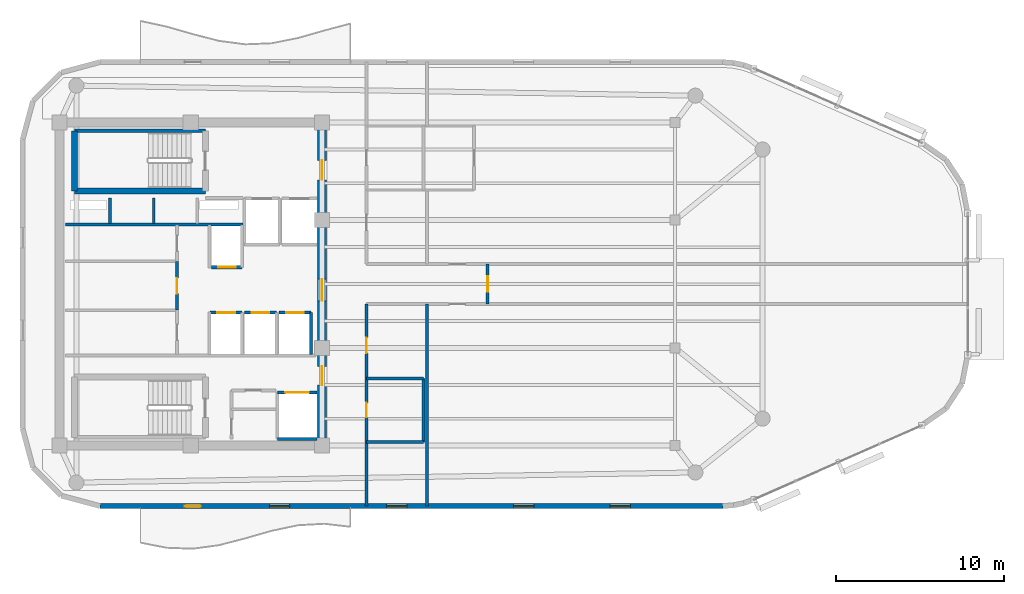
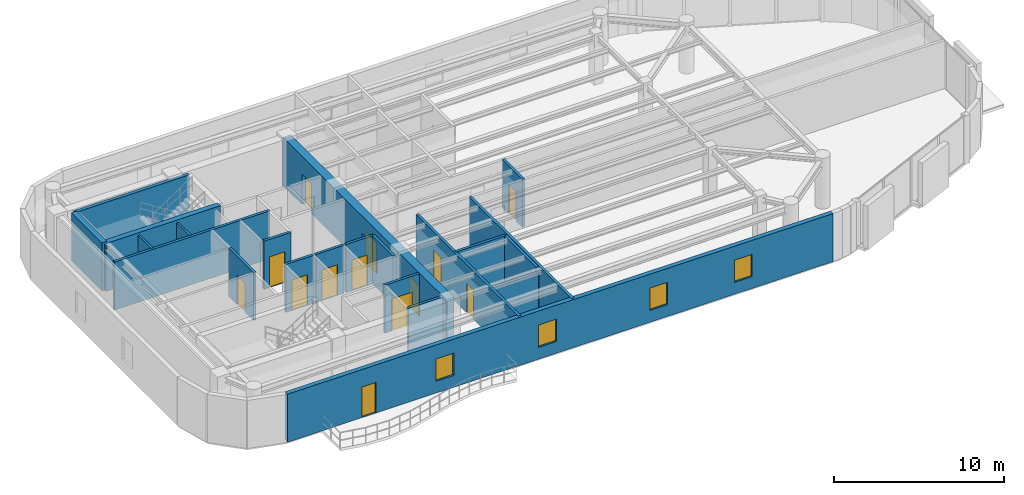
# One storey, part 8 of 12: 22 walls, 13 doors, 4 windows, 17 openings.
"""IFC4 building model written with IfcOpenShell, lengths in metres."""

import ifcopenshell
import ifcopenshell.guid

model = None  # the IFC model being written
_history = None  # IfcOwnerHistory: only IFC2X3 demands one
_inside = {}  # id of a spatial element -> (the spatial element, [elements in it])
_under = {}  # id of a project, library or spatial element -> (it, [spatial elements below it])
_declared = {}  # id of a project -> (the project, [libraries it declares])
_typed = {}  # id of a type object -> (the type object, [elements of that type])
_made_of = {}  # id of a material, layer set ... -> (it, [elements and type objects made of it])


def new_model(schema):
    """Start an empty IFC model of exactly this schema.

    Asked for "IFC4X3", IfcOpenShell would pick the latest addendum, in which some entities
    have other attributes; the version numbers below select the first issue.
    IFC2X3 requires an IfcOwnerHistory on every rooted entity: one is made here for all.
    """
    global model, _history
    if schema == "IFC4X3":
        model = ifcopenshell.file(schema_version=(4, 3, 0, 0))
    else:
        model = ifcopenshell.file(schema=schema)
    _inside.clear()
    _under.clear()
    _declared.clear()
    _typed.clear()
    _made_of.clear()
    _history = None
    if model.schema == "IFC2X3":
        org = make("IfcOrganization", Name="unknown")
        user = make(
            "IfcPersonAndOrganization",
            ThePerson=make("IfcPerson", FamilyName="unknown"),
            TheOrganization=org,
        )
        app = make(
            "IfcApplication",
            ApplicationDeveloper=org,
            Version="unknown",
            ApplicationFullName="unknown",
            ApplicationIdentifier="unknown",
        )
        _history = make(
            "IfcOwnerHistory",
            OwningUser=user,
            OwningApplication=app,
            ChangeAction="ADDED",
            CreationDate=0,
        )
    return model


def make(cls, **values):
    """One entity of the class cls with the attributes given. An attribute that is None is left unset."""
    return model.create_entity(
        cls, **{name: value for name, value in values.items() if value is not None}
    )


def rooted(cls, **values):
    """An entity with a GlobalId (a new one), such as an element, a storey or a relation."""
    return make(cls, GlobalId=ifcopenshell.guid.new(), OwnerHistory=_history, **values)


def si_unit(unit_type, name, prefix=None):
    """IfcSIUnit, for example si_unit("LENGTHUNIT", "METRE", prefix="MILLI")."""
    return make("IfcSIUnit", UnitType=unit_type, Prefix=prefix, Name=name)


def assignment(units):
    """IfcUnitAssignment: the units of a project."""
    return None if units is None else make("IfcUnitAssignment", Units=units)


def point(xyz):
    """IfcCartesianPoint."""
    return None if xyz is None else make("IfcCartesianPoint", Coordinates=xyz)


def direction(xyz):
    """IfcDirection."""
    return None if xyz is None else make("IfcDirection", DirectionRatios=xyz)


def frame(location, z_axis=None, x_axis=None):
    """IfcAxis2Placement3D, a coordinate frame: its origin and axes. An axis left out is left unset."""
    return make(
        "IfcAxis2Placement3D",
        Location=point(location),
        Axis=direction(z_axis),
        RefDirection=direction(x_axis),
    )


def frame_2d(location, x_axis=None):
    """IfcAxis2Placement2D, a coordinate frame in the plane: its origin and x axis."""
    return make(
        "IfcAxis2Placement2D", Location=point(location), RefDirection=direction(x_axis)
    )


def origin():
    """The frame at (0, 0, 0) with its axes left unset."""
    return frame((0.0, 0.0, 0.0))


def place(relative_to, where):
    """IfcLocalPlacement: puts the frame where relative to a parent placement (None: the world)."""
    return make(
        "IfcLocalPlacement", PlacementRelTo=relative_to, RelativePlacement=where
    )


def context(
    kind, dimensions, precision=None, world=None, true_north=None, identifier=None
):
    """IfcGeometricRepresentationContext, for example the 3D "Model" context."""
    return make(
        "IfcGeometricRepresentationContext",
        ContextIdentifier=identifier,
        ContextType=kind,
        CoordinateSpaceDimension=dimensions,
        Precision=precision,
        WorldCoordinateSystem=world,
        TrueNorth=true_north,
    )


def subcontext(parent, identifier, kind, view, scale=None):
    """IfcGeometricRepresentationSubContext, for example "Body" below "Model"."""
    return make(
        "IfcGeometricRepresentationSubContext",
        ContextIdentifier=identifier,
        ContextType=kind,
        ParentContext=parent,
        TargetScale=scale,
        TargetView=view,
    )


def project(units=None, contexts=None):
    """IfcProject with its units and contexts."""
    return rooted(
        "IfcProject",
        Name="project",
        RepresentationContexts=contexts,
        UnitsInContext=assignment(units),
    )


def spatial(cls, under=None, at=None, **own):
    """A site, building, storey or space (cls), placed at a placement, below another one or the project."""
    s = rooted(cls, ObjectPlacement=at, **own)
    if under is not None:
        _under.setdefault(under.id(), (under, []))[1].append(s)
    return s


def profile(cls, at=None, kind="AREA", **sizes):
    """A parametric profile (cls). Its sizes go by their IFC names, for example OverallWidth=200.0."""
    return make(cls, ProfileType=kind, Position=at, **sizes)


def rectangle(**sizes):
    """IfcRectangleProfileDef."""
    return profile("IfcRectangleProfileDef", **sizes)


def extrude(swept, where, along, depth):
    """IfcExtrudedAreaSolid: the profile swept, set in the frame where, extruded along a direction by depth."""
    return make(
        "IfcExtrudedAreaSolid",
        SweptArea=swept,
        Position=where,
        ExtrudedDirection=direction(along),
        Depth=depth,
    )


def shape(context_of_items, identifier, shape_type, items):
    """IfcShapeRepresentation: the items that make up one representation, for example the "Body"."""
    return make(
        "IfcShapeRepresentation",
        ContextOfItems=context_of_items,
        RepresentationIdentifier=identifier,
        RepresentationType=shape_type,
        Items=items,
    )


def material(Name=None, Category=None):
    """IfcMaterial."""
    return make("IfcMaterial", Name=Name, Category=Category)


def layer(
    of_material, thickness, ventilated=None, Name=None, Category=None, Priority=None
):
    """IfcMaterialLayer: one layer of a wall or slab, of a material (None: an air gap)."""
    return make(
        "IfcMaterialLayer",
        Material=of_material,
        LayerThickness=thickness,
        IsVentilated=ventilated,
        Name=Name,
        Category=Category,
        Priority=Priority,
    )


def layer_set(layers, Name=None):
    """IfcMaterialLayerSet."""
    return make("IfcMaterialLayerSet", MaterialLayers=layers, LayerSetName=Name)


def made_of(thing, what):
    """Note that an element or type object is made of a material, layer set ...; save() writes the relation."""
    if what is not None:
        _made_of.setdefault(what.id(), (what, []))[1].append(thing)
    return thing


def type_object(cls, material=None, **own):
    """A type object (cls), such as IfcWallType, which elements share."""
    return made_of(rooted(cls, **own), material)


def element(
    cls,
    number,
    at=None,
    inside=None,
    cuts=None,
    type_object=None,
    material=None,
    context=None,
    identifier="Body",
    shape_type=None,
    held_by="IfcProductDefinitionShape",
    body=None,
    shapes=None,
    **own,
):
    """One element of the class cls, such as IfcWall. Its Tag is "e" and its number.

    at: its placement. inside: the storey or other place that contains it. cuts: it is an
    opening in that element (IfcRelVoidsElement). A single representation is given by context,
    identifier, shape_type and body (its items); several are given by shapes. held_by: the class
    of the entity that holds the representations. save() writes the other relations.
    """
    e = rooted(cls, Tag="e%d" % number, ObjectPlacement=at, **own)
    if body is not None:
        shapes = [shape(context, identifier, shape_type, body)]
    if shapes is not None:
        e.Representation = make(held_by, Representations=shapes)
    if inside is not None:
        _inside.setdefault(inside.id(), (inside, []))[1].append(e)
    if cuts is not None:
        rooted(
            "IfcRelVoidsElement", RelatingBuildingElement=cuts, RelatedOpeningElement=e
        )
    if type_object is not None:
        _typed.setdefault(type_object.id(), (type_object, []))[1].append(e)
    return made_of(e, material)


def fill(opening, filler):
    """IfcRelFillsElement: the door or window that sits in an opening."""
    return rooted(
        "IfcRelFillsElement",
        RelatingOpeningElement=opening,
        RelatedBuildingElement=filler,
    )


def aggregate(whole, parts):
    """IfcRelAggregates: a whole, such as a stair, and the parts it consists of."""
    return rooted("IfcRelAggregates", RelatingObject=whole, RelatedObjects=parts)


def save(model, path):
    """Write the relations noted so far, then the file.

    IfcRelAggregates (storeys below a building ...), IfcRelContainedInSpatialStructure (elements
    in a storey), IfcRelDefinesByType, IfcRelAssociatesMaterial and IfcRelDeclares: one each for
    every whole, place, type object, material and project.
    """
    for whole, parts in _under.values():
        aggregate(whole, parts)
    for where, things in _inside.values():
        rooted(
            "IfcRelContainedInSpatialStructure",
            RelatedElements=things,
            RelatingStructure=where,
        )
    for kind, things in _typed.values():
        rooted("IfcRelDefinesByType", RelatedObjects=things, RelatingType=kind)
    for what, things in _made_of.values():
        rooted("IfcRelAssociatesMaterial", RelatedObjects=things, RelatingMaterial=what)
    for by, libraries in _declared.values():
        rooted("IfcRelDeclares", RelatingContext=by, RelatedDefinitions=libraries)
    model.write(path)


model = new_model("IFC4")

# Units and contexts
model_context = context("Model", 3, precision=1e-05, world=origin(), true_north=direction((0.0, 1.0)))
body_context = subcontext(model_context, "Body", "Model", "MODEL_VIEW")
ifc_project = project(units=[si_unit("LENGTHUNIT", "METRE"), si_unit("AREAUNIT", "SQUARE_METRE"), si_unit("VOLUMEUNIT", "CUBIC_METRE"), si_unit("PLANEANGLEUNIT", "RADIAN"), si_unit("MASSUNIT", "GRAM", prefix="KILO")], contexts=[model_context])

# Site, building, storey
site_placement = place(None, origin())
site = spatial("IfcSite", under=ifc_project, at=site_placement, CompositionType="ELEMENT")
building_placement = place(site_placement, origin())
building = spatial("IfcBuilding", under=site, at=building_placement, Name="An Khanh Terracotta Commons", CompositionType="ELEMENT")
storey_placement = place(building_placement, frame((0.0, 0.0, 269.75)))
storey = spatial("IfcBuildingStorey", under=building, at=storey_placement, Name="L70", CompositionType="ELEMENT", Elevation=269.75)

# Wall, openings, doors
ifc_material_1 = material(Name="Concrete C50/60", Category="concrete")
ifc_layer_1 = layer(ifc_material_1, 0.550048828125, Name="Concrete C50/60")
ifc_layer_set_1 = layer_set([ifc_layer_1], Name="Concrete C50/60")
wall_type_1 = type_object("IfcWallType", Name="WALL-CORE-550", PredefinedType="SHEAR", material=ifc_layer_set_1)
wall_1_placement = place(storey_placement, frame((37.199951171875, 14.39990234375, 0.0), z_axis=(0.0, 0.0, 1.0), x_axis=(0.0, 1.0, 0.0)))
wall_1 = element("IfcWall", 1, at=wall_1_placement, inside=storey, type_object=wall_type_1, Name="L70 Core Wall CWALL-L70-E", PredefinedType="SHEAR", context=body_context, shape_type="SweptSolid", body=[
    extrude(rectangle(XDim=19.2001953125, YDim=0.550048828125, at=frame_2d((9.60009765625, 0.0))), origin(), (0.0, 0.0, 1.0), 3.449951171875),
])
opening_1_placement = place(wall_1_placement, frame((15.800048828125, 0.0, 0.0)))
opening_1 = element("IfcOpeningElement", 2, at=opening_1_placement, cuts=wall_1, Name="Opening D-FFL", PredefinedType="OPENING", context=body_context, shape_type="SweptSolid", body=[
    extrude(rectangle(XDim=1.14990234375, YDim=2.14990234375, at=frame_2d((0.574951171875, 1.074951171875))), frame((0.0, 0.284912109375, 0.0), z_axis=(0.0, -1.0, 0.0), x_axis=(1.0, 0.0, 0.0)), (0.0, 0.0, 1.0), 0.570068359375),
])
opening_2_placement = place(wall_1_placement, frame((3.60009765625, 0.0, 0.0)))
opening_2 = element("IfcOpeningElement", 3, at=opening_2_placement, cuts=wall_1, Name="Opening D-ST", PredefinedType="OPENING", context=body_context, shape_type="SweptSolid", body=[
    extrude(rectangle(XDim=1.10009765625, YDim=2.14990234375, at=frame_2d((0.550048828125, 1.074951171875))), frame((0.0, 0.284912109375, 0.0), z_axis=(0.0, -1.0, 0.0), x_axis=(1.0, 0.0, 0.0)), (0.0, 0.0, 1.0), 0.570068359375),
])
opening_3_placement = place(wall_1_placement, frame((8.60009765625, 0.0, 0.0)))
opening_3 = element("IfcOpeningElement", 4, at=opening_3_placement, cuts=wall_1, Name="Opening D-COR", PredefinedType="OPENING", context=body_context, shape_type="SweptSolid", body=[
    extrude(rectangle(XDim=1.300048828125, YDim=2.199951171875, at=frame_2d((0.64990234375, 1.10009765625))), frame((0.0, 0.284912109375, 0.0), z_axis=(0.0, -1.0, 0.0), x_axis=(1.0, 0.0, 0.0)), (0.0, 0.0, 1.0), 0.570068359375),
])
ifc_material_2 = material(Name="Fire-Rated Glazed Steel Double Door", Category="steel")
door_type_1 = type_object("IfcDoorType", Name="DOOR-CORR-1300", OperationType="NOTDEFINED", PredefinedType="DOOR", material=ifc_material_2)
door_1_placement = place(opening_3_placement, origin())
door_1 = element("IfcDoor", 5, at=door_1_placement, inside=storey, type_object=door_type_1, Name="L70 Passenger Lift Lobby Double Door", OperationType="DOUBLE_DOOR_SINGLE_SWING", OverallHeight=2.199951171875, OverallWidth=1.300048828125, PredefinedType="DOOR", context=body_context, shape_type="SweptSolid", body=[
    extrude(rectangle(XDim=1.300048828125, YDim=2.199951171875, at=frame_2d((0.64990234375, 1.10009765625))), frame((0.0, 0.02490234375, 0.0), z_axis=(0.0, -1.0, 0.0), x_axis=(1.0, 0.0, 0.0)), (0.0, 0.0, 1.0), 0.050048828125),
])
fill(opening_3, door_1)
ifc_material_3 = material(Name="Fire-Rated Steel Leaf and Vision Panel", Category="steel")
door_type_2 = type_object("IfcDoorType", Name="DOOR-FFL-1150", OperationType="NOTDEFINED", PredefinedType="DOOR", material=ifc_material_3)
door_2_placement = place(opening_1_placement, origin())
door_2 = element("IfcDoor", 6, at=door_2_placement, inside=storey, type_object=door_type_2, Name="L70 Firefighting Lift Lobby Fire Door", OperationType="SINGLE_SWING_LEFT", OverallHeight=2.14990234375, OverallWidth=1.14990234375, PredefinedType="DOOR", context=body_context, shape_type="SweptSolid", body=[
    extrude(rectangle(XDim=1.14990234375, YDim=2.14990234375, at=frame_2d((0.574951171875, 1.074951171875))), frame((0.0, 0.02490234375, 0.0), z_axis=(0.0, -1.0, 0.0), x_axis=(1.0, 0.0, 0.0)), (0.0, 0.0, 1.0), 0.050048828125),
])
fill(opening_1, door_2)
ifc_material_4 = material(Name="Fire-Rated Steel Leaf and Frame", Category="steel")
door_type_3 = type_object("IfcDoorType", Name="DOOR-STAIR-1100", OperationType="NOTDEFINED", PredefinedType="DOOR", material=ifc_material_4)
door_3_placement = place(opening_2_placement, origin())
door_3 = element("IfcDoor", 7, at=door_3_placement, inside=storey, type_object=door_type_3, Name="L70 South Stair Lobby Fire Door", OperationType="SINGLE_SWING_RIGHT", OverallHeight=2.14990234375, OverallWidth=1.10009765625, PredefinedType="DOOR", context=body_context, shape_type="SweptSolid", body=[
    extrude(rectangle(XDim=1.10009765625, YDim=2.14990234375, at=frame_2d((0.550048828125, 1.074951171875))), frame((0.0, 0.02490234375, 0.0), z_axis=(0.0, -1.0, 0.0), x_axis=(1.0, 0.0, 0.0)), (0.0, 0.0, 1.0), 0.050048828125),
])
fill(opening_2, door_3)

# Wall
ifc_material_5 = material(Name="Fire-Rated Gypsum Board on Steel Stud", Category="steel")
ifc_layer_2 = layer(ifc_material_5, 0.179931640625, Name="Fire-Rated Gypsum Board on Steel Stud")
ifc_layer_set_2 = layer_set([ifc_layer_2], Name="Fire-Rated Gypsum Board on Steel Stud")
wall_type_2 = type_object("IfcWallType", Name="WALL-CORR-180", PredefinedType="PARTITIONING", material=ifc_layer_set_2)
wall_2_placement = place(storey_placement, frame((21.949951171875, 27.5400390625, 0.0), z_axis=(0.0, 0.0, 1.0), x_axis=(1.0, 0.0, 0.0)))
element("IfcWall", 8, at=wall_2_placement, inside=storey, type_object=wall_type_2, Name="L70 Core Wall RSRW-L70-S", PredefinedType="PARTITIONING", context=body_context, shape_type="SweptSolid", body=[
    extrude(rectangle(XDim=10.56005859375, YDim=0.179931640625, at=frame_2d((5.280029296875, 0.0))), origin(), (0.0, 0.0, 1.0), 3.449951171875),
])

# Wall, opening, door
wall_3_placement = place(storey_placement, frame((34.550048828125, 17.550048828125, 0.0), z_axis=(0.0, 0.0, 1.0), x_axis=(1.0, 0.0, 0.0)))
wall_3 = element("IfcWall", 9, at=wall_3_placement, inside=storey, type_object=wall_type_2, Name="L70 Core Wall LSH-L70-SVL-01-N", PredefinedType="PARTITIONING", context=body_context, shape_type="SweptSolid", body=[
    extrude(rectangle(XDim=2.349853515625, YDim=0.179931640625, at=frame_2d((1.1748046875, 0.0))), origin(), (0.0, 0.0, 1.0), 3.449951171875),
])
opening_4_placement = place(wall_3_placement, frame((0.47509765625, 0.0, 0.0)))
opening_4 = element("IfcOpeningElement", 10, at=opening_4_placement, cuts=wall_3, Name="Opening LD-SVL-01-L70", PredefinedType="OPENING", context=body_context, shape_type="SweptSolid", body=[
    extrude(rectangle(XDim=1.39990234375, YDim=2.300048828125, at=frame_2d((0.699951171875, 1.14990234375))), frame((0.0, 0.099853515625, 0.0), z_axis=(0.0, -1.0, 0.0), x_axis=(1.0, 0.0, 0.0)), (0.0, 0.0, 1.0), 0.199951171875),
])
ifc_material_6 = material(Name="Heavy-Duty Stainless Steel Goods Landing Door", Category="steel")
door_type_4 = type_object("IfcDoorType", Name="DOOR-LD-SVL-1400", OperationType="NOTDEFINED", PredefinedType="DOOR", material=ifc_material_6)
door_4_placement = place(opening_4_placement, origin())
door_4 = element("IfcDoor", 11, at=door_4_placement, inside=storey, type_object=door_type_4, Name="L70 Lift SVL-01 Sliding Landing Door", OperationType="DOUBLE_DOOR_SLIDING", OverallHeight=2.300048828125, OverallWidth=1.39990234375, PredefinedType="DOOR", context=body_context, shape_type="SweptSolid", body=[
    extrude(rectangle(XDim=1.39990234375, YDim=2.300048828125, at=frame_2d((0.699951171875, 1.14990234375))), frame((0.0, 0.02490234375, 0.0), z_axis=(0.0, -1.0, 0.0), x_axis=(1.0, 0.0, 0.0)), (0.0, 0.0, 1.0), 0.050048828125),
])
fill(opening_4, door_4)

# Wall
wall_4_placement = place(storey_placement, frame((36.89990234375, 14.800048828125, 0.0), z_axis=(0.0, 0.0, 1.0), x_axis=(-1.0, 0.0, 0.0)))
element("IfcWall", 12, at=wall_4_placement, inside=storey, type_object=wall_type_2, Name="L70 Core Wall LSH-L70-SVL-01-S", PredefinedType="PARTITIONING", context=body_context, shape_type="SweptSolid", body=[
    extrude(rectangle(XDim=2.349853515625, YDim=0.179931640625, at=frame_2d((1.1748046875, 0.0))), origin(), (0.0, 0.0, 1.0), 3.449951171875),
])

# Wall, opening, door
wall_5_placement = place(storey_placement, frame((32.4599609375, 25.0, 0.0), z_axis=(0.0, 0.0, 1.0), x_axis=(-1.0, 0.0, 0.0)))
wall_5 = element("IfcWall", 13, at=wall_5_placement, inside=storey, type_object=wall_type_2, Name="L70 Core Wall LSH-L70-PL-H1-S", PredefinedType="PARTITIONING", context=body_context, shape_type="SweptSolid", body=[
    extrude(rectangle(XDim=1.820068359375, YDim=0.179931640625, at=frame_2d((0.91015625, 0.0))), origin(), (0.0, 0.0, 1.0), 3.449951171875),
])
opening_5_placement = place(wall_5_placement, frame((0.385009765625, 0.0, 0.0)))
opening_5 = element("IfcOpeningElement", 14, at=opening_5_placement, cuts=wall_5, Name="Opening LD-PL-H1-L70", PredefinedType="OPENING", context=body_context, shape_type="SweptSolid", body=[
    extrude(rectangle(XDim=1.050048828125, YDim=2.199951171875, at=frame_2d((0.52490234375, 1.10009765625))), frame((0.0, 0.099853515625, 0.0), z_axis=(0.0, -1.0, 0.0), x_axis=(1.0, 0.0, 0.0)), (0.0, 0.0, 1.0), 0.199951171875),
])
ifc_material_7 = material(Name="Brushed Stainless Steel High-Rise Landing Door", Category="steel")
door_type_5 = type_object("IfcDoorType", Name="DOOR-LD-PAXH-1050", OperationType="NOTDEFINED", PredefinedType="DOOR", material=ifc_material_7)
door_5_placement = place(opening_5_placement, origin())
door_5 = element("IfcDoor", 15, at=door_5_placement, inside=storey, type_object=door_type_5, Name="L70 Lift PL-H1 Sliding Landing Door", OperationType="DOUBLE_DOOR_SLIDING", OverallHeight=2.199951171875, OverallWidth=1.050048828125, PredefinedType="DOOR", context=body_context, shape_type="SweptSolid", body=[
    extrude(rectangle(XDim=1.050048828125, YDim=2.199951171875, at=frame_2d((0.52490234375, 1.10009765625))), frame((0.0, 0.02490234375, 0.0), z_axis=(0.0, -1.0, 0.0), x_axis=(1.0, 0.0, 0.0)), (0.0, 0.0, 1.0), 0.050048828125),
])
fill(opening_5, door_5)

wall_6_placement = place(storey_placement, frame((30.56005859375, 22.300048828125, 0.0), z_axis=(0.0, 0.0, 1.0), x_axis=(1.0, 0.0, 0.0)))
wall_6 = element("IfcWall", 16, at=wall_6_placement, inside=storey, type_object=wall_type_2, Name="L70 Core Wall LSH-L70-PL-H2-N", PredefinedType="PARTITIONING", context=body_context, shape_type="SweptSolid", body=[
    extrude(rectangle(XDim=1.89990234375, YDim=0.179931640625, at=frame_2d((0.949951171875, 0.0))), origin(), (0.0, 0.0, 1.0), 3.449951171875),
])
opening_6_placement = place(wall_6_placement, frame((0.425048828125, 0.0, 0.0)))
opening_6 = element("IfcOpeningElement", 17, at=opening_6_placement, cuts=wall_6, Name="Opening LD-PL-H2-L70", PredefinedType="OPENING", context=body_context, shape_type="SweptSolid", body=[
    extrude(rectangle(XDim=1.050048828125, YDim=2.199951171875, at=frame_2d((0.52490234375, 1.10009765625))), frame((0.0, 0.099853515625, 0.0), z_axis=(0.0, -1.0, 0.0), x_axis=(1.0, 0.0, 0.0)), (0.0, 0.0, 1.0), 0.199951171875),
])
door_6_placement = place(opening_6_placement, origin())
door_6 = element("IfcDoor", 18, at=door_6_placement, inside=storey, type_object=door_type_5, Name="L70 Lift PL-H2 Sliding Landing Door", OperationType="DOUBLE_DOOR_SLIDING", OverallHeight=2.199951171875, OverallWidth=1.050048828125, PredefinedType="DOOR", context=body_context, shape_type="SweptSolid", body=[
    extrude(rectangle(XDim=1.050048828125, YDim=2.199951171875, at=frame_2d((0.52490234375, 1.10009765625))), frame((0.0, 0.02490234375, 0.0), z_axis=(0.0, -1.0, 0.0), x_axis=(1.0, 0.0, 0.0)), (0.0, 0.0, 1.0), 0.050048828125),
])
fill(opening_6, door_6)

wall_7_placement = place(storey_placement, frame((32.60009765625, 22.300048828125, 0.0), z_axis=(0.0, 0.0, 1.0), x_axis=(1.0, 0.0, 0.0)))
wall_7 = element("IfcWall", 19, at=wall_7_placement, inside=storey, type_object=wall_type_2, Name="L70 Core Wall LSH-L70-PL-H3-N", PredefinedType="PARTITIONING", context=body_context, shape_type="SweptSolid", body=[
    extrude(rectangle(XDim=1.89990234375, YDim=0.179931640625, at=frame_2d((0.949951171875, 0.0))), origin(), (0.0, 0.0, 1.0), 3.449951171875),
])
opening_7_placement = place(wall_7_placement, frame((0.425048828125, 0.0, 0.0)))
opening_7 = element("IfcOpeningElement", 20, at=opening_7_placement, cuts=wall_7, Name="Opening LD-PL-H3-L70", PredefinedType="OPENING", context=body_context, shape_type="SweptSolid", body=[
    extrude(rectangle(XDim=1.050048828125, YDim=2.199951171875, at=frame_2d((0.52490234375, 1.10009765625))), frame((0.0, 0.099853515625, 0.0), z_axis=(0.0, -1.0, 0.0), x_axis=(1.0, 0.0, 0.0)), (0.0, 0.0, 1.0), 0.199951171875),
])
door_7_placement = place(opening_7_placement, origin())
door_7 = element("IfcDoor", 21, at=door_7_placement, inside=storey, type_object=door_type_5, Name="L70 Lift PL-H3 Sliding Landing Door", OperationType="DOUBLE_DOOR_SLIDING", OverallHeight=2.199951171875, OverallWidth=1.050048828125, PredefinedType="DOOR", context=body_context, shape_type="SweptSolid", body=[
    extrude(rectangle(XDim=1.050048828125, YDim=2.199951171875, at=frame_2d((0.52490234375, 1.10009765625))), frame((0.0, 0.02490234375, 0.0), z_axis=(0.0, -1.0, 0.0), x_axis=(1.0, 0.0, 0.0)), (0.0, 0.0, 1.0), 0.050048828125),
])
fill(opening_7, door_7)

wall_8_placement = place(storey_placement, frame((34.639892578125, 22.300048828125, 0.0), z_axis=(0.0, 0.0, 1.0), x_axis=(1.0, 0.0, 0.0)))
wall_8 = element("IfcWall", 22, at=wall_8_placement, inside=storey, type_object=wall_type_2, Name="L70 Core Wall LSH-L70-PL-H4-N", PredefinedType="PARTITIONING", context=body_context, shape_type="SweptSolid", body=[
    extrude(rectangle(XDim=1.900146484375, YDim=0.179931640625, at=frame_2d((0.9501953125, 0.0))), origin(), (0.0, 0.0, 1.0), 3.449951171875),
])
opening_8_placement = place(wall_8_placement, frame((0.425048828125, 0.0, 0.0)))
opening_8 = element("IfcOpeningElement", 23, at=opening_8_placement, cuts=wall_8, Name="Opening LD-PL-H4-L70", PredefinedType="OPENING", context=body_context, shape_type="SweptSolid", body=[
    extrude(rectangle(XDim=1.050048828125, YDim=2.199951171875, at=frame_2d((0.52490234375, 1.10009765625))), frame((0.0, 0.099853515625, 0.0), z_axis=(0.0, -1.0, 0.0), x_axis=(1.0, 0.0, 0.0)), (0.0, 0.0, 1.0), 0.199951171875),
])
door_8_placement = place(opening_8_placement, origin())
door_8 = element("IfcDoor", 24, at=door_8_placement, inside=storey, type_object=door_type_5, Name="L70 Lift PL-H4 Sliding Landing Door", OperationType="DOUBLE_DOOR_SLIDING", OverallHeight=2.199951171875, OverallWidth=1.050048828125, PredefinedType="DOOR", context=body_context, shape_type="SweptSolid", body=[
    extrude(rectangle(XDim=1.050048828125, YDim=2.199951171875, at=frame_2d((0.52490234375, 1.10009765625))), frame((0.0, 0.02490234375, 0.0), z_axis=(0.0, -1.0, 0.0), x_axis=(1.0, 0.0, 0.0)), (0.0, 0.0, 1.0), 0.050048828125),
])
fill(opening_8, door_8)

# Wall
wall_9_placement = place(storey_placement, frame((36.5400390625, 19.800048828125, 0.0), z_axis=(0.0, 0.0, 1.0), x_axis=(0.0, 1.0, 0.0)))
element("IfcWall", 25, at=wall_9_placement, inside=storey, type_object=wall_type_2, Name="L70 Core Wall LSH-L70-PL-H4-E", PredefinedType="PARTITIONING", context=body_context, shape_type="SweptSolid", body=[
    extrude(rectangle(XDim=2.5, YDim=0.179931640625, at=frame_2d((1.25, 0.0))), origin(), (0.0, 0.0, 1.0), 3.449951171875),
])

# Wall, opening, door
wall_10_placement = place(storey_placement, frame((28.580078125, 22.449951171875, 0.0), z_axis=(0.0, 0.0, 1.0), x_axis=(0.0, 1.0, 0.0)))
wall_10 = element("IfcWall", 26, at=wall_10_placement, inside=storey, type_object=wall_type_2, Name="L70 Core Wall RECW-L70-E2", PredefinedType="PARTITIONING", context=body_context, shape_type="SweptSolid", body=[
    extrude(rectangle(XDim=2.900146484375, YDim=0.179931640625, at=frame_2d((1.4501953125, 0.0))), origin(), (0.0, 0.0, 1.0), 3.449951171875),
])
opening_9_placement = place(wall_10_placement, frame((0.989990234375, 0.0, 0.0)))
opening_9 = element("IfcOpeningElement", 27, at=opening_9_placement, cuts=wall_10, Name="Opening D-RM", PredefinedType="OPENING", context=body_context, shape_type="SweptSolid", body=[
    extrude(rectangle(XDim=0.919921875, YDim=2.10009765625, at=frame_2d((0.4599609375, 1.050048828125))), frame((0.0, 0.099853515625, 0.0), z_axis=(0.0, -1.0, 0.0), x_axis=(1.0, 0.0, 0.0)), (0.0, 0.0, 1.0), 0.199951171875),
])
ifc_material_8 = material(Name="Engineered Hardwood Timber Leaf", Category="wood")
door_type_6 = type_object("IfcDoorType", Name="DOOR-INT-920", OperationType="NOTDEFINED", PredefinedType="DOOR", material=ifc_material_8)
door_9_placement = place(opening_9_placement, origin())
door_9 = element("IfcDoor", 28, at=door_9_placement, inside=storey, type_object=door_type_6, Name="L70 Floor Pantry and Tea Room Door", OperationType="SINGLE_SWING_RIGHT", OverallHeight=2.10009765625, OverallWidth=0.919921875, PredefinedType="DOOR", context=body_context, shape_type="SweptSolid", body=[
    extrude(rectangle(XDim=0.919921875, YDim=2.10009765625, at=frame_2d((0.4599609375, 1.050048828125))), frame((0.0, 0.02490234375, 0.0), z_axis=(0.0, -1.0, 0.0), x_axis=(1.0, 0.0, 0.0)), (0.0, 0.0, 1.0), 0.050048828125),
])
fill(opening_9, door_9)

# Walls
wall_11_placement = place(storey_placement, frame((39.85009765625, 14.60009765625, 0.0), z_axis=(0.0, 0.0, 1.0), x_axis=(1.0, 0.0, 0.0)))
element("IfcWall", 29, at=wall_11_placement, inside=storey, type_object=wall_type_2, Name="L70 Interior Partition IW-L70-E001", PredefinedType="PARTITIONING", context=body_context, shape_type="SweptSolid", body=[
    extrude(rectangle(XDim=3.39990234375, YDim=0.179931640625, at=frame_2d((1.699951171875, 0.0))), origin(), (0.0, 0.0, 1.0), 3.092041015625),
])
wall_12_placement = place(storey_placement, frame((39.85009765625, 18.39990234375, 0.0), z_axis=(0.0, 0.0, 1.0), x_axis=(1.0, 0.0, 0.0)))
element("IfcWall", 30, at=wall_12_placement, inside=storey, type_object=wall_type_2, Name="L70 Interior Partition IW-L70-E002", PredefinedType="PARTITIONING", context=body_context, shape_type="SweptSolid", body=[
    extrude(rectangle(XDim=3.39990234375, YDim=0.179931640625, at=frame_2d((1.699951171875, 0.0))), origin(), (0.0, 0.0, 1.0), 3.449951171875),
])

# Wall, openings, doors
wall_13_placement = place(storey_placement, frame((39.85009765625, 10.800048828125, 0.0), z_axis=(0.0, 0.0, 1.0), x_axis=(0.0, 1.0, 0.0)))
wall_13 = element("IfcWall", 31, at=wall_13_placement, inside=storey, type_object=wall_type_2, Name="L70 Interior Partition IW-L70-E007", PredefinedType="PARTITIONING", context=body_context, shape_type="SweptSolid", body=[
    extrude(rectangle(XDim=12.02001953125, YDim=0.179931640625, at=frame_2d((6.010009765625, 0.0))), origin(), (0.0, 0.0, 1.0), 3.449951171875),
])
opening_10_placement = place(wall_13_placement, frame((5.27001953125, 0.0, 0.0)))
opening_10 = element("IfcOpeningElement", 32, at=opening_10_placement, cuts=wall_13, Name="Opening D-ENS", PredefinedType="OPENING", context=body_context, shape_type="SweptSolid", body=[
    extrude(rectangle(XDim=0.860107421875, YDim=2.10009765625, at=frame_2d((0.43017578125, 1.050048828125))), frame((0.0, 0.099853515625, 0.0), z_axis=(0.0, -1.0, 0.0), x_axis=(1.0, 0.0, 0.0)), (0.0, 0.0, 1.0), 0.199951171875),
])
opening_11_placement = place(wall_13_placement, frame((9.090087890625, 0.0, 0.0)))
opening_11 = element("IfcOpeningElement", 33, at=opening_11_placement, cuts=wall_13, Name="Opening D-RM", PredefinedType="OPENING", context=body_context, shape_type="SweptSolid", body=[
    extrude(rectangle(XDim=0.919921875, YDim=2.10009765625, at=frame_2d((0.4599609375, 1.050048828125))), frame((0.0, 0.099853515625, 0.0), z_axis=(0.0, -1.0, 0.0), x_axis=(1.0, 0.0, 0.0)), (0.0, 0.0, 1.0), 0.199951171875),
])
ifc_material_9 = material(Name="Moisture-Resistant Hardwood Timber Leaf", Category="wood")
door_type_7 = type_object("IfcDoorType", Name="DOOR-BATH-860", OperationType="NOTDEFINED", PredefinedType="DOOR", material=ifc_material_9)
door_10_placement = place(opening_10_placement, origin())
door_10 = element("IfcDoor", 34, at=door_10_placement, inside=storey, type_object=door_type_7, Name="L70 SHW Resident Shared Shower and Washroom Door", OperationType="SINGLE_SWING_LEFT", OverallHeight=2.10009765625, OverallWidth=0.860107421875, PredefinedType="DOOR", context=body_context, shape_type="SweptSolid", body=[
    extrude(rectangle(XDim=0.860107421875, YDim=2.10009765625, at=frame_2d((0.43017578125, 1.050048828125))), frame((0.0, 0.02490234375, 0.0), z_axis=(0.0, -1.0, 0.0), x_axis=(1.0, 0.0, 0.0)), (0.0, 0.0, 1.0), 0.050048828125),
])
fill(opening_10, door_10)
door_11_placement = place(opening_11_placement, origin())
door_11 = element("IfcDoor", 35, at=door_11_placement, inside=storey, type_object=door_type_6, Name="L70 T5SW Co-Living Private Bedroom Door", OperationType="SINGLE_SWING_LEFT", OverallHeight=2.10009765625, OverallWidth=0.919921875, PredefinedType="DOOR", context=body_context, shape_type="SweptSolid", body=[
    extrude(rectangle(XDim=0.919921875, YDim=2.10009765625, at=frame_2d((0.4599609375, 1.050048828125))), frame((0.0, 0.02490234375, 0.0), z_axis=(0.0, -1.0, 0.0), x_axis=(1.0, 0.0, 0.0)), (0.0, 0.0, 1.0), 0.050048828125),
])
fill(opening_11, door_11)

# Walls
wall_14_placement = place(storey_placement, frame((43.25, 14.60009765625, 0.0), z_axis=(0.0, 0.0, 1.0), x_axis=(0.0, 1.0, 0.0)))
element("IfcWall", 36, at=wall_14_placement, inside=storey, type_object=wall_type_2, Name="L70 Interior Partition IW-L70-E009", PredefinedType="PARTITIONING", context=body_context, shape_type="SweptSolid", body=[
    extrude(rectangle(XDim=3.7998046875, YDim=0.179931640625, at=frame_2d((1.89990234375, 0.0))), origin(), (0.0, 0.0, 1.0), 3.449951171875),
])
wall_15_placement = place(storey_placement, frame((43.449951171875, 10.800048828125, 0.0), z_axis=(0.0, 0.0, 1.0), x_axis=(0.0, 1.0, 0.0)))
element("IfcWall", 37, at=wall_15_placement, inside=storey, type_object=wall_type_2, Name="L70 Interior Partition IW-L70-E011", PredefinedType="PARTITIONING", context=body_context, shape_type="SweptSolid", body=[
    extrude(rectangle(XDim=12.02001953125, YDim=0.179931640625, at=frame_2d((6.010009765625, 0.0))), origin(), (0.0, 0.0, 1.0), 3.449951171875),
])

# Wall, opening, door
wall_16_placement = place(storey_placement, frame((47.050048828125, 22.820068359375, 0.0), z_axis=(0.0, 0.0, 1.0), x_axis=(0.0, 1.0, 0.0)))
wall_16 = element("IfcWall", 38, at=wall_16_placement, inside=storey, type_object=wall_type_2, Name="L70 Interior Partition IW-L70-E015", PredefinedType="PARTITIONING", context=body_context, shape_type="SweptSolid", body=[
    extrude(rectangle(XDim=2.35986328125, YDim=0.179931640625, at=frame_2d((1.179931640625, 0.0))), origin(), (0.0, 0.0, 1.0), 3.449951171875),
])
opening_12_placement = place(wall_16_placement, frame((0.719970703125, 0.0, 0.0)))
opening_12 = element("IfcOpeningElement", 39, at=opening_12_placement, cuts=wall_16, Name="Opening D-RM", PredefinedType="OPENING", context=body_context, shape_type="SweptSolid", body=[
    extrude(rectangle(XDim=0.919921875, YDim=2.10009765625, at=frame_2d((0.4599609375, 1.050048828125))), frame((0.0, 0.099853515625, 0.0), z_axis=(0.0, -1.0, 0.0), x_axis=(1.0, 0.0, 0.0)), (0.0, 0.0, 1.0), 0.199951171875),
])
door_12_placement = place(opening_12_placement, origin())
door_12 = element("IfcDoor", 40, at=door_12_placement, inside=storey, type_object=door_type_6, Name="L70 T5ME Academic Seminar Room Door", OperationType="SINGLE_SWING_LEFT", OverallHeight=2.10009765625, OverallWidth=0.919921875, PredefinedType="DOOR", context=body_context, shape_type="SweptSolid", body=[
    extrude(rectangle(XDim=0.919921875, YDim=2.10009765625, at=frame_2d((0.4599609375, 1.050048828125))), frame((0.0, 0.02490234375, 0.0), z_axis=(0.0, -1.0, 0.0), x_axis=(1.0, 0.0, 0.0)), (0.0, 0.0, 1.0), 0.050048828125),
])
fill(opening_12, door_12)

# Wall, openings, door, windows
ifc_material_10 = material(Name="Precast concrete C40/50", Category="concrete")
ifc_layer_3 = layer(ifc_material_10, 0.300048828125, Name="Precast concrete C40/50")
ifc_layer_set_3 = layer_set([ifc_layer_3], Name="Precast concrete C40/50")
wall_type_3 = type_object("IfcWallType", Name="WALL-EXT-300", PredefinedType="SOLIDWALL", material=ifc_layer_set_3)
wall_17_placement = place(storey_placement, frame((24.0, 10.800048828125, 0.0), z_axis=(0.0, 0.0, 1.0), x_axis=(1.0, 0.0, 0.0)))
wall_17 = element("IfcWall", 41, at=wall_17_placement, inside=storey, type_object=wall_type_3, Name="L70 Insulated Terracotta Exterior Wall 4", PredefinedType="SOLIDWALL", context=body_context, shape_type="SweptSolid", body=[
    extrude(rectangle(XDim=37.030029296875, YDim=0.300048828125, at=frame_2d((18.51513671875, 0.0))), origin(), (0.0, 0.0, 1.0), 3.449951171875),
])
opening_13_placement = place(wall_17_placement, frame((5.050048828125, 0.0, 0.0)))
opening_13 = element("IfcOpeningElement", 42, at=opening_13_placement, cuts=wall_17, Name="Opening D-BAL", PredefinedType="OPENING", context=body_context, shape_type="SweptSolid", body=[
    extrude(rectangle(XDim=0.949951171875, YDim=2.199951171875, at=frame_2d((0.47509765625, 1.10009765625))), frame((0.0, 0.159912109375, 0.0), z_axis=(0.0, -1.0, 0.0), x_axis=(1.0, 0.0, 0.0)), (0.0, 0.0, 1.0), 0.320068359375),
])
opening_14_placement = place(wall_17_placement, frame((10.0830078125, 0.0, 0.85009765625)))
opening_14 = element("IfcOpeningElement", 43, at=opening_14_placement, cuts=wall_17, Name="Opening W-05", PredefinedType="OPENING", context=body_context, shape_type="SweptSolid", body=[
    extrude(rectangle(XDim=1.199951171875, YDim=1.60009765625, at=frame_2d((0.60009765625, 0.800048828125))), frame((0.0, 0.159912109375, 0.0), z_axis=(0.0, -1.0, 0.0), x_axis=(1.0, 0.0, 0.0)), (0.0, 0.0, 1.0), 0.320068359375),
])
opening_15_placement = place(wall_17_placement, frame((17.050048828125, 0.0, 0.85009765625)))
opening_15 = element("IfcOpeningElement", 44, at=opening_15_placement, cuts=wall_17, Name="Opening W-05", PredefinedType="OPENING", context=body_context, shape_type="SweptSolid", body=[
    extrude(rectangle(XDim=1.199951171875, YDim=1.60009765625, at=frame_2d((0.60009765625, 0.800048828125))), frame((0.0, 0.159912109375, 0.0), z_axis=(0.0, -1.0, 0.0), x_axis=(1.0, 0.0, 0.0)), (0.0, 0.0, 1.0), 0.320068359375),
])
opening_16_placement = place(wall_17_placement, frame((24.593017578125, 0.0, 0.85009765625)))
opening_16 = element("IfcOpeningElement", 45, at=opening_16_placement, cuts=wall_17, Name="Opening W-05", PredefinedType="OPENING", context=body_context, shape_type="SweptSolid", body=[
    extrude(rectangle(XDim=1.199951171875, YDim=1.60009765625, at=frame_2d((0.60009765625, 0.800048828125))), frame((0.0, 0.159912109375, 0.0), z_axis=(0.0, -1.0, 0.0), x_axis=(1.0, 0.0, 0.0)), (0.0, 0.0, 1.0), 0.320068359375),
])
opening_17_placement = place(wall_17_placement, frame((30.3369140625, 0.0, 0.85009765625)))
opening_17 = element("IfcOpeningElement", 46, at=opening_17_placement, cuts=wall_17, Name="Opening W-05", PredefinedType="OPENING", context=body_context, shape_type="SweptSolid", body=[
    extrude(rectangle(XDim=1.199951171875, YDim=1.60009765625, at=frame_2d((0.60009765625, 0.800048828125))), frame((0.0, 0.159912109375, 0.0), z_axis=(0.0, -1.0, 0.0), x_axis=(1.0, 0.0, 0.0)), (0.0, 0.0, 1.0), 0.320068359375),
])
ifc_material_11 = material(Name="Thermally Broken Aluminium and Low-E Glass", Category="aluminium")
door_type_8 = type_object("IfcDoorType", Name="DOOR-BALC-950", OperationType="NOTDEFINED", PredefinedType="DOOR", material=ifc_material_11)
door_13_placement = place(opening_13_placement, origin())
door_13 = element("IfcDoor", 47, at=door_13_placement, inside=storey, type_object=door_type_8, Name="L70 S Wave Balcony Glazed Door", OperationType="SINGLE_SWING_LEFT", OverallHeight=2.199951171875, OverallWidth=0.949951171875, PredefinedType="DOOR", context=body_context, shape_type="SweptSolid", body=[
    extrude(rectangle(XDim=0.949951171875, YDim=2.199951171875, at=frame_2d((0.47509765625, 1.10009765625))), frame((0.0, 0.02490234375, 0.0), z_axis=(0.0, -1.0, 0.0), x_axis=(1.0, 0.0, 0.0)), (0.0, 0.0, 1.0), 0.050048828125),
])
fill(opening_13, door_13)
window_type = type_object("IfcWindowType", Name="WIN-Z5-1200x1600", PartitioningType="SINGLE_PANEL", PredefinedType="WINDOW", material=ifc_material_11)
window_1_placement = place(opening_14_placement, origin())
window_1 = element("IfcWindow", 48, at=window_1_placement, inside=storey, type_object=window_type, Name="L70 Operable Casement Window 4.1", OverallHeight=1.60009765625, OverallWidth=1.199951171875, PartitioningType="SINGLE_PANEL", PredefinedType="WINDOW", context=body_context, shape_type="SweptSolid", body=[
    extrude(rectangle(XDim=1.199951171875, YDim=1.60009765625, at=frame_2d((0.60009765625, 0.800048828125))), frame((0.0, 0.030029296875, 0.0), z_axis=(0.0, -1.0, 0.0), x_axis=(1.0, 0.0, 0.0)), (0.0, 0.0, 1.0), 0.06005859375),
])
fill(opening_14, window_1)
window_2_placement = place(opening_15_placement, origin())
window_2 = element("IfcWindow", 49, at=window_2_placement, inside=storey, type_object=window_type, Name="L70 Operable Casement Window 4.2", OverallHeight=1.60009765625, OverallWidth=1.199951171875, PartitioningType="SINGLE_PANEL", PredefinedType="WINDOW", context=body_context, shape_type="SweptSolid", body=[
    extrude(rectangle(XDim=1.199951171875, YDim=1.60009765625, at=frame_2d((0.60009765625, 0.800048828125))), frame((0.0, 0.030029296875, 0.0), z_axis=(0.0, -1.0, 0.0), x_axis=(1.0, 0.0, 0.0)), (0.0, 0.0, 1.0), 0.06005859375),
])
fill(opening_15, window_2)
window_3_placement = place(opening_16_placement, origin())
window_3 = element("IfcWindow", 50, at=window_3_placement, inside=storey, type_object=window_type, Name="L70 Operable Casement Window 4.3", OverallHeight=1.60009765625, OverallWidth=1.199951171875, PartitioningType="SINGLE_PANEL", PredefinedType="WINDOW", context=body_context, shape_type="SweptSolid", body=[
    extrude(rectangle(XDim=1.199951171875, YDim=1.60009765625, at=frame_2d((0.60009765625, 0.800048828125))), frame((0.0, 0.030029296875, 0.0), z_axis=(0.0, -1.0, 0.0), x_axis=(1.0, 0.0, 0.0)), (0.0, 0.0, 1.0), 0.06005859375),
])
fill(opening_16, window_3)
window_4_placement = place(opening_17_placement, origin())
window_4 = element("IfcWindow", 51, at=window_4_placement, inside=storey, type_object=window_type, Name="L70 Operable Casement Window 4.4", OverallHeight=1.60009765625, OverallWidth=1.199951171875, PartitioningType="SINGLE_PANEL", PredefinedType="WINDOW", context=body_context, shape_type="SweptSolid", body=[
    extrude(rectangle(XDim=1.199951171875, YDim=1.60009765625, at=frame_2d((0.60009765625, 0.800048828125))), frame((0.0, 0.030029296875, 0.0), z_axis=(0.0, -1.0, 0.0), x_axis=(1.0, 0.0, 0.0)), (0.0, 0.0, 1.0), 0.06005859375),
])
fill(opening_17, window_4)

# Walls
ifc_material_12 = material(Name="Acoustic Gypsum Board Partition")
ifc_layer_4 = layer(ifc_material_12, 0.14990234375, Name="Acoustic Gypsum Board Partition")
ifc_layer_set_4 = layer_set([ifc_layer_4], Name="Acoustic Gypsum Board Partition")
wall_type_4 = type_object("IfcWallType", Name="WALL-PART-150", PredefinedType="PARTITIONING", material=ifc_layer_set_4)
for number, where, z_axis, x_axis, name in (
    (52, (24.60009765625, 27.60009765625, 0.0), (0.0, 0.0, 1.0), (0.0, 1.0, 0.0), "L70 Core Wall RSRW-L70-D1"),
    (53, (27.199951171875, 27.60009765625, 0.0), (0.0, 0.0, 1.0), (0.0, 1.0, 0.0), "L70 Core Wall RSRW-L70-D2"),
):
    element("IfcWall", number, at=place(storey_placement, frame(where, z_axis=z_axis, x_axis=x_axis)), inside=storey, type_object=wall_type_4, Name=name, PredefinedType="PARTITIONING", context=body_context, shape_type="SweptSolid", body=[
        extrude(rectangle(XDim=1.52001953125, YDim=0.14990234375, at=frame_2d((0.760009765625, 0.0))), origin(), (0.0, 0.0, 1.0), 3.449951171875),
    ])
ifc_material_13 = material(Name="Acoustic Double-Stud Gypsum and Mineral Wool")
ifc_layer_5 = layer(ifc_material_13, 0.219970703125, Name="Acoustic Double-Stud Gypsum and Mineral Wool")
ifc_layer_set_5 = layer_set([ifc_layer_5], Name="Acoustic Double-Stud Gypsum and Mineral Wool")
wall_type_5 = type_object("IfcWallType", Name="WALL-PARTY-220", PredefinedType="PARTITIONING", material=ifc_layer_set_5)
wall_18_placement = place(storey_placement, frame((22.47998046875, 33.110107421875, 0.0), z_axis=(0.0, 0.0, 1.0), x_axis=(1.0, 0.0, 0.0)))
element("IfcWall", 54, at=wall_18_placement, inside=storey, type_object=wall_type_5, Name="L70 Core Wall STW-L70-N-N", PredefinedType="PARTITIONING", context=body_context, shape_type="SweptSolid", body=[
    extrude(rectangle(XDim=7.7900390625, YDim=0.219970703125, at=frame_2d((3.89501953125, 0.0))), origin(), (0.0, 0.0, 1.0), 3.449951171875),
])
ifc_layer_6 = layer(ifc_material_1, 0.35009765625, Name="Concrete C50/60")
ifc_layer_set_6 = layer_set([ifc_layer_6], Name="Concrete C50/60")
wall_type_6 = type_object("IfcWallType", Name="WALL-SHAFT-350", PredefinedType="SOLIDWALL", material=ifc_layer_set_6)
wall_19_placement = place(storey_placement, frame((22.47998046875, 29.530029296875, 0.0), z_axis=(0.0, 0.0, 1.0), x_axis=(1.0, 0.0, 0.0)))
element("IfcWall", 55, at=wall_19_placement, inside=storey, type_object=wall_type_6, Name="L70 Core Wall STW-L70-N-S", PredefinedType="SOLIDWALL", context=body_context, shape_type="SweptSolid", body=[
    extrude(rectangle(XDim=7.7900390625, YDim=0.35009765625, at=frame_2d((3.89501953125, 0.0))), origin(), (0.0, 0.0, 1.0), 3.449951171875),
])
wall_20_placement = place(storey_placement, frame((22.47998046875, 29.530029296875, 0.0), z_axis=(0.0, 0.0, 1.0), x_axis=(0.0, 1.0, 0.0)))
element("IfcWall", 56, at=wall_20_placement, inside=storey, type_object=wall_type_6, Name="L70 Core Wall STW-L70-N-W", PredefinedType="SOLIDWALL", context=body_context, shape_type="SweptSolid", body=[
    extrude(rectangle(XDim=3.580078125, YDim=0.35009765625, at=frame_2d((1.7900390625, 0.0))), origin(), (0.0, 0.0, 1.0), 3.449951171875),
])

save(model, "model.ifc")
